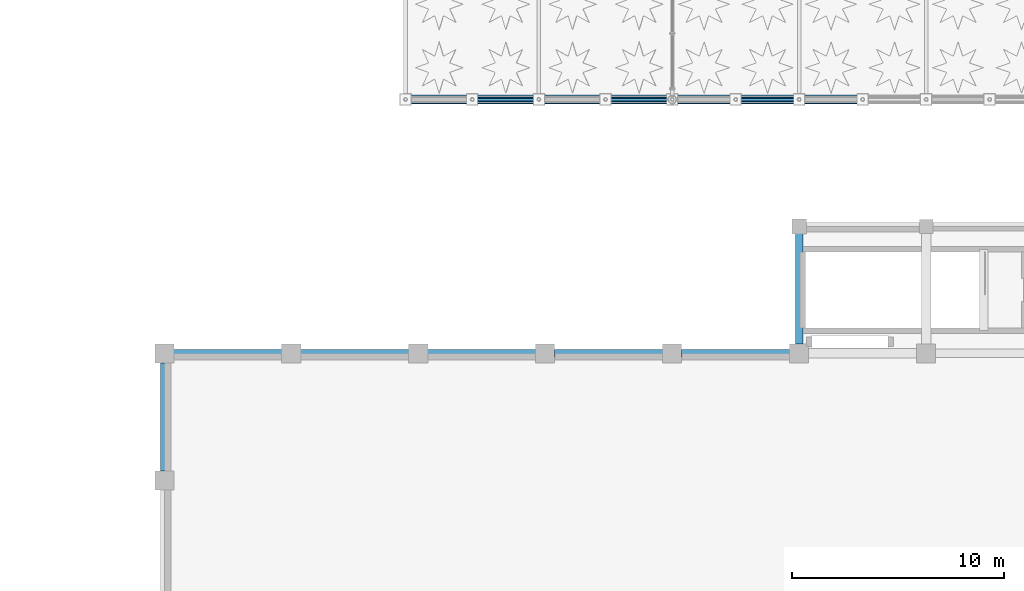
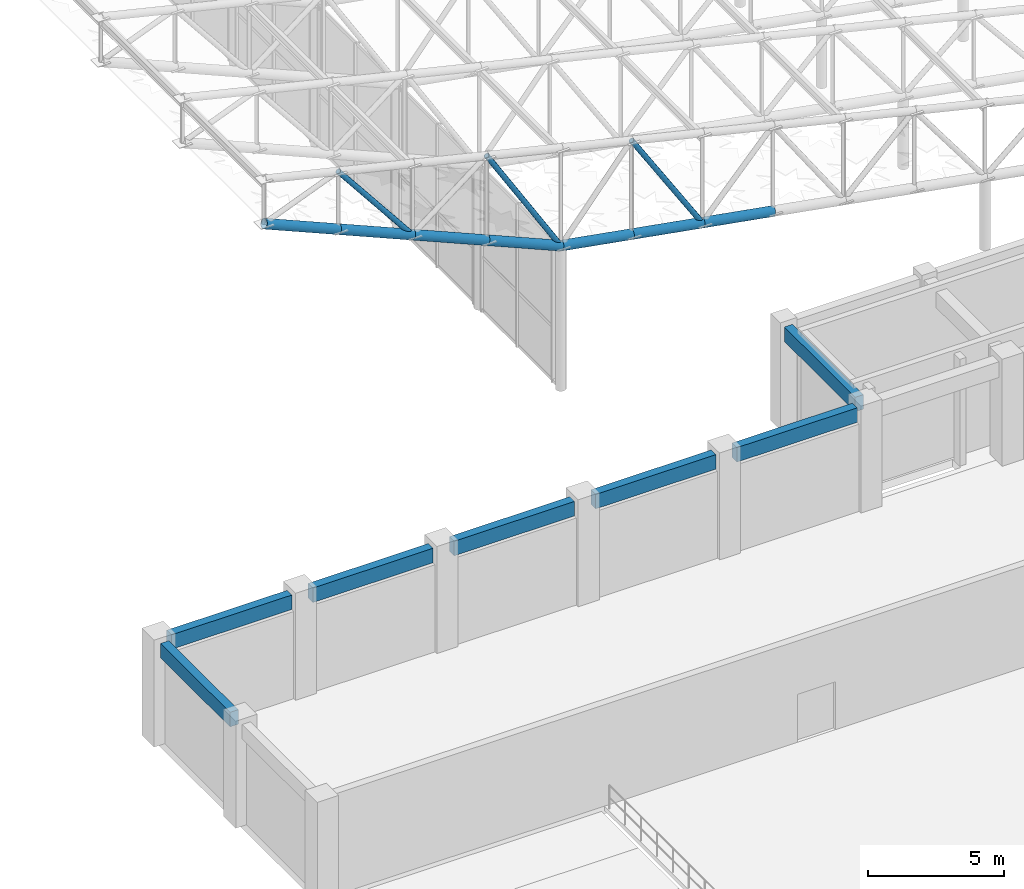
# One storey, part 24 of 112: 10 members, 7 beams.
"""IFC4 building model written with IfcOpenShell, lengths in metres."""

from ifc_helpers import new_model, si_unit, direction, frame, origin, origin_2d, place, context, subcontext, project, spatial, rectangle, hollow_circle, extrude, material, material_profile, profile_set, type_object, element, save


model = new_model("IFC4")

# Units and contexts
model_context = context("Model", 3, precision=1e-05, world=origin(), true_north=direction((0.0, 1.0)))
body_context = subcontext(model_context, "Body", "Model", "MODEL_VIEW")
ifc_project = project(units=[si_unit("LENGTHUNIT", "METRE"), si_unit("AREAUNIT", "SQUARE_METRE"), si_unit("VOLUMEUNIT", "CUBIC_METRE"), si_unit("PLANEANGLEUNIT", "RADIAN"), si_unit("MASSUNIT", "GRAM", prefix="KILO"), si_unit("THERMODYNAMICTEMPERATUREUNIT", "KELVIN"), si_unit("POWERUNIT", "WATT")], contexts=[model_context])

# Site, building, storey
site_placement = place(None, origin())
site = spatial("IfcSite", under=ifc_project, at=site_placement, CompositionType="ELEMENT")
building_placement = place(site_placement, origin())
building = spatial("IfcBuilding", under=site, at=building_placement, Name="Phaisarnlok Congress Hotel", CompositionType="ELEMENT")
storey_placement = place(building_placement, frame((0.0, 0.0, 19.800048828125)))
storey = spatial("IfcBuildingStorey", under=building, at=storey_placement, Name="L04", CompositionType="ELEMENT", Elevation=19.800048828125)

# Members
ifc_material_1 = material(Name="Steel S355", Category="steel")
ifc_material_profile_1 = material_profile(ifc_material_1, hollow_circle(Radius=0.109619140625, WallThickness=0.012451171875, at=origin_2d()), Name="CHS 219.1x12.5")
ifc_profile_set_1 = profile_set([ifc_material_profile_1], Name="Steel S355")
member_type_1 = type_object("IfcMemberType", Name="MEM-BRC-CHS219", PredefinedType="BRACE", material=ifc_profile_set_1)
member_1_placement = place(storey_placement, frame((126.0, 48.0, 5.333251953125), z_axis=(-0.534542802575, 0.0, 0.845141403681), x_axis=(0.0, -1.0, 0.0)))
element("IfcMember", 1, at=member_1_placement, inside=storey, type_object=member_type_1, Name="Cloister wing roof truss diagonal brace", PredefinedType="BRACE", context=body_context, shape_type="SweptSolid", body=[
    extrude(hollow_circle(Radius=0.109619140625, WallThickness=0.012451171875, at=origin_2d()), origin(), (0.0, 0.0, 1.0), 5.6123046875),
])
ifc_material_profile_2 = material_profile(ifc_material_1, hollow_circle(Radius=0.109619140625, WallThickness=0.012451171875, at=origin_2d()), Name="CHS 219.1x12.5")
ifc_profile_set_2 = profile_set([ifc_material_profile_2], Name="Steel S355")
member_type_2 = type_object("IfcMemberType", Name="MEM-BRC-CHS219-EXT", PredefinedType="BRACE", material=ifc_profile_set_2)
member_2_placement = place(storey_placement, frame((120.0, 48.0, 6.39990234375), z_axis=(-0.522176688857, 0.0, 0.852837326584), x_axis=(0.0, -1.0, 0.0)))
element("IfcMember", 2, at=member_2_placement, inside=storey, type_object=member_type_2, Name="Cloister wing roof truss diagonal brace", PredefinedType="BRACE", context=body_context, shape_type="SweptSolid", body=[
    extrude(hollow_circle(Radius=0.109619140625, WallThickness=0.012451171875, at=origin_2d()), origin(), (0.0, 0.0, 1.0), 6.0322265625),
])
member_3_placement = place(storey_placement, frame((113.699951171875, 48.0, 9.099853515625), z_axis=(-0.623645214912, 0.0, 0.78170751942), x_axis=(0.0, -1.0, 0.0)))
element("IfcMember", 3, at=member_3_placement, inside=storey, type_object=member_type_2, Name="Cloister wing roof truss diagonal brace", PredefinedType="BRACE", context=body_context, shape_type="SweptSolid", body=[
    extrude(hollow_circle(Radius=0.109619140625, WallThickness=0.012451171875, at=origin_2d()), origin(), (0.0, 0.0, 1.0), 5.05078125),
])
ifc_material_profile_3 = material_profile(ifc_material_1, hollow_circle(Radius=0.203125, WallThickness=0.02001953125, at=origin_2d()), Name="CHS 406.4x20")
ifc_profile_set_3 = profile_set([ifc_material_profile_3], Name="Steel S355")
member_type_3 = type_object("IfcMemberType", Name="MEM-CHD-CHS406", PredefinedType="CHORD", material=ifc_profile_set_3)
for number, where, z_axis, x_axis, name in (
    (4, (129.0, 48.0, 4.800048828125), (-0.984569871158, 0.0, 0.174991910694), (0.0, -1.0, 0.0), "Cloister wing roof truss bottom chord"),
    (5, (126.0, 48.0, 5.333251953125), (-0.984556063496, 0.0, 0.175069579976), (0.0, -1.0, 0.0), "Cloister wing roof truss bottom chord"),
    (6, (123.0, 48.0, 5.86669921875), (-0.984569871158, 0.0, 0.174991910694), (0.0, -1.0, 0.0), "Cloister wing roof truss bottom chord"),
):
    element("IfcMember", number, at=place(storey_placement, frame(where, z_axis=z_axis, x_axis=x_axis)), inside=storey, type_object=member_type_3, Name=name, PredefinedType="CHORD", context=body_context, shape_type="SweptSolid", body=[
        extrude(hollow_circle(Radius=0.203125, WallThickness=0.02001953125, at=origin_2d()), origin(), (0.0, 0.0, 1.0), 3.047119140625),
    ])
ifc_material_profile_4 = material_profile(ifc_material_1, hollow_circle(Radius=0.203125, WallThickness=0.02001953125, at=origin_2d()), Name="CHS 406.4x20")
ifc_profile_set_4 = profile_set([ifc_material_profile_4], Name="Steel S355")
member_type_4 = type_object("IfcMemberType", Name="MEM-CHD-CHS406-EXT", PredefinedType="CHORD", material=ifc_profile_set_4)
member_4_placement = place(storey_placement, frame((120.0, 48.0, 6.39990234375), z_axis=(-0.919130290196, 0.0, 0.393953689721), x_axis=(0.0, -1.0, 0.0)))
element("IfcMember", 7, at=member_4_placement, inside=storey, type_object=member_type_4, Name="Cloister wing roof truss bottom chord", PredefinedType="CHORD", context=body_context, shape_type="SweptSolid", body=[
    extrude(hollow_circle(Radius=0.203125, WallThickness=0.02001953125, at=origin_2d()), origin(), (0.0, 0.0, 1.0), 3.427001953125),
])
member_5_placement = place(storey_placement, frame((116.85009765625, 48.0, 7.75), z_axis=(-0.919167136512, 0.0, 0.393867712762), x_axis=(0.0, -1.0, 0.0)))
element("IfcMember", 8, at=member_5_placement, inside=storey, type_object=member_type_4, Name="Cloister wing roof truss bottom chord", PredefinedType="CHORD", context=body_context, shape_type="SweptSolid", body=[
    extrude(hollow_circle(Radius=0.203125, WallThickness=0.02001953125, at=origin_2d()), origin(), (0.0, 0.0, 1.0), 3.42724609375),
])
member_6_placement = place(storey_placement, frame((113.699951171875, 48.0, 9.099853515625), z_axis=(-0.919130290196, 0.0, 0.393953689721), x_axis=(0.0, -1.0, 0.0)))
element("IfcMember", 9, at=member_6_placement, inside=storey, type_object=member_type_4, Name="Cloister wing roof truss bottom chord", PredefinedType="CHORD", context=body_context, shape_type="SweptSolid", body=[
    extrude(hollow_circle(Radius=0.203125, WallThickness=0.02001953125, at=origin_2d()), origin(), (0.0, 0.0, 1.0), 3.427001953125),
])
member_7_placement = place(storey_placement, frame((110.550048828125, 48.0, 10.449951171875), z_axis=(-0.919141345424, 0.0, 0.393927895853), x_axis=(0.0, -1.0, 0.0)))
element("IfcMember", 10, at=member_7_placement, inside=storey, type_object=member_type_4, Name="Cloister wing roof truss bottom chord", PredefinedType="CHORD", context=body_context, shape_type="SweptSolid", body=[
    extrude(hollow_circle(Radius=0.203125, WallThickness=0.02001953125, at=origin_2d()), origin(), (0.0, 0.0, 1.0), 3.42724609375),
])

# Beams
ifc_material_2 = material(Name="Concrete C40/50", Category="concrete")
ifc_material_profile_5 = material_profile(ifc_material_2, rectangle(XDim=0.35009765625, YDim=0.64990234375, at=origin_2d()), Name="RC 350x650")
ifc_profile_set_5 = profile_set([ifc_material_profile_5], Name="Concrete C40/50")
beam_type = type_object("IfcBeamType", Name="SP-RC-350x650", PredefinedType="SPANDREL", material=ifc_profile_set_5)
for number, where, z_axis, x_axis, name in (
    (11, (96.0, 30.445068359375, 4.23486328125), (0.0, 1.0, 0.0), (-1.0, 0.0, 0.0), "Beam SP-01"),
    (12, (96.445068359375, 36.0, 4.23486328125), (1.0, 0.0, 0.0), (0.0, 1.0, 0.0), "Beam SP-01"),
    (13, (102.445068359375, 36.0, 4.23486328125), (1.0, 0.0, 0.0), (0.0, 1.0, 0.0), "Beam SP-01"),
    (14, (108.445068359375, 36.0, 4.23486328125), (1.0, 0.0, 0.0), (0.0, 1.0, 0.0), "Beam SP-01"),
    (15, (114.445068359375, 36.0, 4.23486328125), (1.0, 0.0, 0.0), (0.0, 1.0, 0.0), "Beam SP-01"),
    (16, (120.445068359375, 36.0, 4.23486328125), (1.0, 0.0, 0.0), (0.0, 1.0, 0.0), "Beam SP-01"),
):
    element("IfcBeam", number, at=place(storey_placement, frame(where, z_axis=z_axis, x_axis=x_axis)), inside=storey, type_object=beam_type, Name=name, PredefinedType="SPANDREL", context=body_context, shape_type="SweptSolid", body=[
        extrude(rectangle(XDim=0.35009765625, YDim=0.64990234375, at=origin_2d()), origin(), (0.0, 0.0, 1.0), 5.10986328125),
    ])
beam_placement = place(storey_placement, frame((126.0, 36.445068359375, 4.23486328125), z_axis=(0.0, 1.0, 0.0), x_axis=(-1.0, 0.0, 0.0)))
element("IfcBeam", 17, at=beam_placement, inside=storey, type_object=beam_type, Name="Beam SP-01", PredefinedType="SPANDREL", context=body_context, shape_type="SweptSolid", body=[
    extrude(rectangle(XDim=0.35009765625, YDim=0.64990234375, at=origin_2d()), origin(), (0.0, 0.0, 1.0), 5.2099609375),
])

save(model, "model.ifc")
